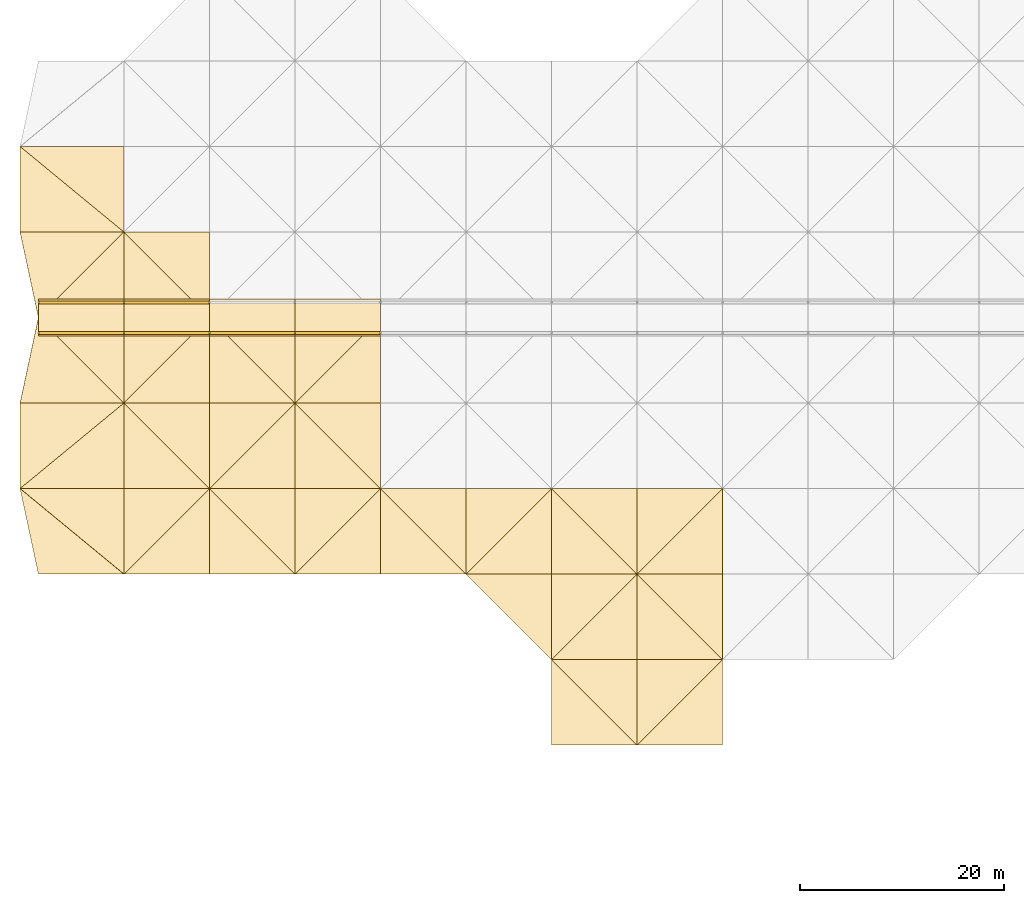
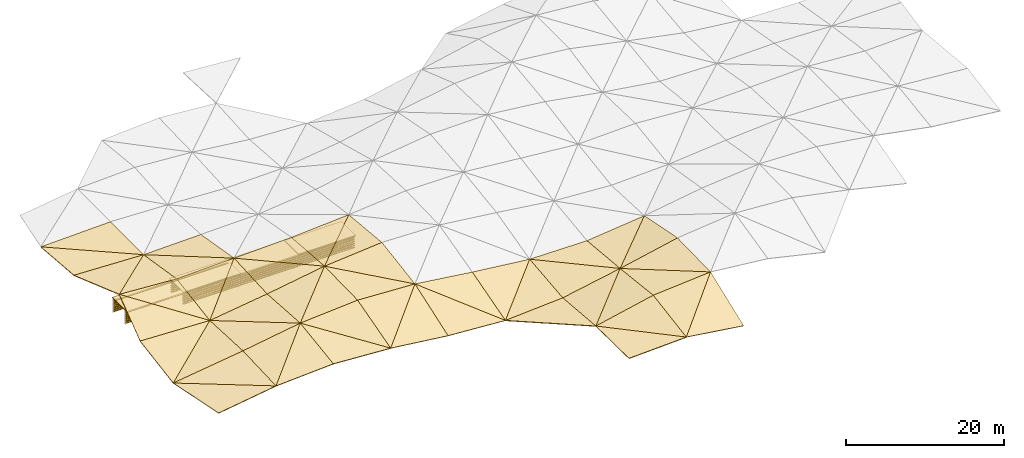
# One storey, part 38 of 46: 51 coverings, 36 shading devices.
"""IFC4 building model written with IfcOpenShell, lengths in metres."""

from ifc_helpers import new_model, si_unit, direction, frame, origin, origin_2d, place, context, subcontext, project, spatial, polyline, rectangle, outline, extrude, material, layer, layer_set, type_object, element, save


model = new_model("IFC4")

# Units and contexts
model_context = context("Model", 3, precision=1e-05, world=origin(), true_north=direction((0.0, 1.0)))
body_context = subcontext(model_context, "Body", "Model", "MODEL_VIEW")
ifc_project = project(units=[si_unit("LENGTHUNIT", "METRE"), si_unit("AREAUNIT", "SQUARE_METRE"), si_unit("VOLUMEUNIT", "CUBIC_METRE"), si_unit("PLANEANGLEUNIT", "RADIAN"), si_unit("MASSUNIT", "GRAM", prefix="KILO")], contexts=[model_context])

# Site, building, storey
site_placement = place(None, origin())
site = spatial("IfcSite", under=ifc_project, at=site_placement, CompositionType="ELEMENT")
building_placement = place(site_placement, origin())
building = spatial("IfcBuilding", under=site, at=building_placement, Name="Rain Tree Exposition and Congress Centre", CompositionType="ELEMENT")
storey_placement = place(building_placement, frame((0.0, 0.0, 27.0)))
storey = spatial("IfcBuildingStorey", under=building, at=storey_placement, Name="ROOF VAULT CREST", CompositionType="ELEMENT", Elevation=27.0)

# Shading devices
ifc_material_1 = material(Name="Aluminium", Category="aluminium")
ifc_layer_1 = layer(ifc_material_1, 0.0400390625)
ifc_layer_set_1 = layer_set([ifc_layer_1], Name="Aluminium")
shading_device_type = type_object("IfcShadingDeviceType", Name="Lantern louvre blade 40", PredefinedType="JALOUSIE", material=ifc_layer_set_1)
for number, where, z_axis, x_axis, name in (
    (1, (12.60009765625, 149.699951171875, 0.14990234375), (0.0, 0.0, 1.0), (1.0, 0.0, 0.0), "Lantern louvre S0.1"),
    (2, (12.60009765625, 149.699951171875, 0.469970703125), (0.0, 0.0, 1.0), (1.0, 0.0, 0.0), "Lantern louvre S0.2"),
    (3, (12.60009765625, 149.699951171875, 0.7900390625), (0.0, 0.0, 1.0), (1.0, 0.0, 0.0), "Lantern louvre S0.3"),
    (4, (12.60009765625, 149.699951171875, 1.10986328125), (0.0, 0.0, 1.0), (1.0, 0.0, 0.0), "Lantern louvre S0.4"),
    (5, (12.60009765625, 149.699951171875, 1.429931640625), (0.0, 0.0, 1.0), (1.0, 0.0, 0.0), "Lantern louvre S0.5"),
    (6, (12.60009765625, 149.699951171875, 1.75), (0.0, 0.0, 1.0), (1.0, 0.0, 0.0), "Lantern louvre S0.6"),
    (7, (21.0, 149.699951171875, 0.14990234375), (0.0, 0.0, 1.0), (1.0, 0.0, 0.0), "Lantern louvre S1.1"),
    (8, (21.0, 149.699951171875, 0.469970703125), (0.0, 0.0, 1.0), (1.0, 0.0, 0.0), "Lantern louvre S1.2"),
    (9, (21.0, 149.699951171875, 0.7900390625), (0.0, 0.0, 1.0), (1.0, 0.0, 0.0), "Lantern louvre S1.3"),
    (10, (21.0, 149.699951171875, 1.10986328125), (0.0, 0.0, 1.0), (1.0, 0.0, 0.0), "Lantern louvre S1.4"),
    (11, (21.0, 149.699951171875, 1.429931640625), (0.0, 0.0, 1.0), (1.0, 0.0, 0.0), "Lantern louvre S1.5"),
    (12, (21.0, 149.699951171875, 1.75), (0.0, 0.0, 1.0), (1.0, 0.0, 0.0), "Lantern louvre S1.6"),
    (13, (29.39990234375, 149.699951171875, 0.14990234375), (0.0, 0.0, 1.0), (1.0, 0.0, 0.0), "Lantern louvre S2.1"),
    (14, (29.39990234375, 149.699951171875, 0.469970703125), (0.0, 0.0, 1.0), (1.0, 0.0, 0.0), "Lantern louvre S2.2"),
    (15, (29.39990234375, 149.699951171875, 0.7900390625), (0.0, 0.0, 1.0), (1.0, 0.0, 0.0), "Lantern louvre S2.3"),
    (16, (29.39990234375, 149.699951171875, 1.10986328125), (0.0, 0.0, 1.0), (1.0, 0.0, 0.0), "Lantern louvre S2.4"),
    (17, (29.39990234375, 149.699951171875, 1.429931640625), (0.0, 0.0, 1.0), (1.0, 0.0, 0.0), "Lantern louvre S2.5"),
    (18, (29.39990234375, 149.699951171875, 1.75), (0.0, 0.0, 1.0), (1.0, 0.0, 0.0), "Lantern louvre S2.6"),
    (19, (37.800048828125, 149.699951171875, 0.14990234375), (0.0, 0.0, 1.0), (1.0, 0.0, 0.0), "Lantern louvre S3.1"),
    (20, (37.800048828125, 149.699951171875, 0.469970703125), (0.0, 0.0, 1.0), (1.0, 0.0, 0.0), "Lantern louvre S3.2"),
    (21, (37.800048828125, 149.699951171875, 0.7900390625), (0.0, 0.0, 1.0), (1.0, 0.0, 0.0), "Lantern louvre S3.3"),
    (22, (37.800048828125, 149.699951171875, 1.10986328125), (0.0, 0.0, 1.0), (1.0, 0.0, 0.0), "Lantern louvre S3.4"),
    (23, (37.800048828125, 149.699951171875, 1.429931640625), (0.0, 0.0, 1.0), (1.0, 0.0, 0.0), "Lantern louvre S3.5"),
    (24, (37.800048828125, 149.699951171875, 1.75), (0.0, 0.0, 1.0), (1.0, 0.0, 0.0), "Lantern louvre S3.6"),
    (25, (12.60009765625, 152.699951171875, 0.14990234375), (0.0, 0.0, 1.0), (1.0, 0.0, 0.0), "Lantern louvre N0.1"),
    (26, (12.60009765625, 152.699951171875, 0.469970703125), (0.0, 0.0, 1.0), (1.0, 0.0, 0.0), "Lantern louvre N0.2"),
    (27, (12.60009765625, 152.699951171875, 0.7900390625), (0.0, 0.0, 1.0), (1.0, 0.0, 0.0), "Lantern louvre N0.3"),
    (28, (12.60009765625, 152.699951171875, 1.10986328125), (0.0, 0.0, 1.0), (1.0, 0.0, 0.0), "Lantern louvre N0.4"),
    (29, (12.60009765625, 152.699951171875, 1.429931640625), (0.0, 0.0, 1.0), (1.0, 0.0, 0.0), "Lantern louvre N0.5"),
    (30, (12.60009765625, 152.699951171875, 1.75), (0.0, 0.0, 1.0), (1.0, 0.0, 0.0), "Lantern louvre N0.6"),
    (31, (21.0, 152.699951171875, 0.14990234375), (0.0, 0.0, 1.0), (1.0, 0.0, 0.0), "Lantern louvre N1.1"),
    (32, (21.0, 152.699951171875, 0.469970703125), (0.0, 0.0, 1.0), (1.0, 0.0, 0.0), "Lantern louvre N1.2"),
    (33, (21.0, 152.699951171875, 0.7900390625), (0.0, 0.0, 1.0), (1.0, 0.0, 0.0), "Lantern louvre N1.3"),
    (34, (21.0, 152.699951171875, 1.10986328125), (0.0, 0.0, 1.0), (1.0, 0.0, 0.0), "Lantern louvre N1.4"),
    (35, (21.0, 152.699951171875, 1.429931640625), (0.0, 0.0, 1.0), (1.0, 0.0, 0.0), "Lantern louvre N1.5"),
    (36, (21.0, 152.699951171875, 1.75), (0.0, 0.0, 1.0), (1.0, 0.0, 0.0), "Lantern louvre N1.6"),
):
    element("IfcShadingDevice", number, at=place(storey_placement, frame(where, z_axis=z_axis, x_axis=x_axis)), inside=storey, type_object=shading_device_type, Name=name, PredefinedType="JALOUSIE", context=body_context, shape_type="SweptSolid", body=[
        extrude(rectangle(XDim=8.300048828125, YDim=0.300048828125, at=origin_2d()), origin(), (0.0, 0.0, 1.0), 0.0400390625),
    ])

# Coverings
ifc_material_2 = material(Name="Aluminium composite", Category="aluminium")
ifc_layer_2 = layer(ifc_material_2, 0.1201171875)
ifc_layer_set_2 = layer_set([ifc_layer_2], Name="Aluminium composite")
covering_type_1 = type_object("IfcCoveringType", Name="Ridge lantern cap 120", PredefinedType="CLADDING", material=ifc_layer_set_2)
for number, where, z_axis, x_axis, name in (
    (37, (12.60009765625, 151.199951171875, 2.02001953125), (0.0, 0.0, 1.0), (1.0, 0.0, 0.0), "Lantern cap 0"),
    (38, (21.0, 151.199951171875, 2.02001953125), (0.0, 0.0, 1.0), (1.0, 0.0, 0.0), "Lantern cap 1"),
    (39, (29.39990234375, 151.199951171875, 2.02001953125), (0.0, 0.0, 1.0), (1.0, 0.0, 0.0), "Lantern cap 2"),
    (40, (37.800048828125, 151.199951171875, 2.02001953125), (0.0, 0.0, 1.0), (1.0, 0.0, 0.0), "Lantern cap 3"),
):
    element("IfcCovering", number, at=place(storey_placement, frame(where, z_axis=z_axis, x_axis=x_axis)), inside=storey, type_object=covering_type_1, Name=name, PredefinedType="CLADDING", context=body_context, shape_type="SweptSolid", body=[
        extrude(rectangle(XDim=8.39990234375, YDim=3.60009765625, at=origin_2d()), origin(), (0.0, 0.0, 1.0), 0.1201171875),
    ])
ifc_material_3 = material(Name="Aluminium composite cladding", Category="aluminium")
ifc_layer_3 = layer(ifc_material_3, 0.10009765625)
ifc_layer_set_3 = layer_set([ifc_layer_3], Name="Aluminium composite cladding")
covering_type_2 = type_object("IfcCoveringType", Name="Triangular aluminium roof skin facet 100", PredefinedType="CLADDING", material=ifc_layer_set_3)
covering_1_placement = place(storey_placement, frame((58.800048828125, 109.199951171875, 1.587890625), z_axis=(-0.041930167314, 0.01056934717, 0.999064637533), x_axis=(0.999120445514, 0.0, 0.041932509543)))
element("IfcCovering", 41, at=covering_1_placement, inside=storey, type_object=covering_type_2, Name="Roof skin facet A41", PredefinedType="CLADDING", context=body_context, shape_type="SweptSolid", body=[
    extrude(outline(polyline([(0.0, 0.0), (8.407297019561348, 0.0), (-0.0037264241878653555, 8.400615718489604), (0.0, 0.0)])), origin(), (0.0, 0.0, -1.0), 0.10009765625),
])
covering_2_placement = place(storey_placement, frame((67.199951171875, 109.199951171875, 1.9404296875), z_axis=(-0.209452978936, -0.158746666536, 0.964846591681), x_axis=(0.0, 0.98673360586, 0.162347747341)))
element("IfcCovering", 42, at=covering_2_placement, inside=storey, type_object=covering_type_2, Name="Roof skin facet A42", PredefinedType="CLADDING", context=body_context, shape_type="SweptSolid", body=[
    extrude(outline(polyline([(0.0, 0.0), (8.513084417607269, 0.0), (8.217045519928487, 8.590449507706607), (0.0, 0.0)])), origin(), (0.0, 0.0, -1.0), 0.10009765625),
])
covering_3_placement = place(storey_placement, frame((67.199951171875, 109.199951171875, 1.9404296875), z_axis=(0.129987415692, -0.355992847942, 0.92540389235), x_axis=(0.990278333593, 0.0, -0.139100043196)))
element("IfcCovering", 43, at=covering_3_placement, inside=storey, type_object=covering_type_2, Name="Roof skin facet A43", PredefinedType="CLADDING", context=body_context, shape_type="SweptSolid", body=[
    extrude(outline(polyline([(0.0, 0.0), (8.482611604659597, 0.0), (8.03311742210459, 8.989029688819873), (0.0, 0.0)])), origin(), (0.0, 0.0, -1.0), 0.10009765625),
])
covering_4_placement = place(storey_placement, frame((67.199951171875, 109.199951171875, 1.9404296875), z_axis=(-0.07839384143, -0.161848116825, 0.983696900832), x_axis=(0.696793031246, 0.696793031246, 0.170173274088)))
element("IfcCovering", 44, at=covering_4_placement, inside=storey, type_object=covering_type_2, Name="Roof skin facet A44", PredefinedType="CLADDING", context=body_context, shape_type="SweptSolid", body=[
    extrude(outline(polyline([(0.0, 0.0), (12.055439861896597, -7.494005416219807e-16), (6.088356623705146, 5.950169739082521), (0.0, 0.0)])), origin(), (0.0, 0.0, -1.0), 0.10009765625),
])
covering_5_placement = place(storey_placement, frame((58.800048828125, 117.60009765625, 1.4990234375), z_axis=(-0.065931569516, 0.086274052845, 0.994087428724), x_axis=(0.0, 0.996255133542, -0.086462181851)))
element("IfcCovering", 45, at=covering_5_placement, inside=storey, type_object=covering_type_2, Name="Roof skin facet A68", PredefinedType="CLADDING", context=body_context, shape_type="SweptSolid", body=[
    extrude(outline(polyline([(0.0, 0.0), (8.431477099527966, -6.938893903907228e-18), (8.479647680334473, 8.41846382496722), (0.0, 0.0)])), origin(), (0.0, 0.0, -1.0), 0.10009765625),
])
covering_6_placement = place(storey_placement, frame((58.800048828125, 117.60009765625, 1.4990234375), z_axis=(-0.2108684285, 0.109457343325, 0.971366869856), x_axis=(0.977238614007, 0.0, 0.212143091554)))
element("IfcCovering", 46, at=covering_6_placement, inside=storey, type_object=covering_type_2, Name="Roof skin facet A69", PredefinedType="CLADDING", context=body_context, shape_type="SweptSolid", body=[
    extrude(outline(polyline([(0.0, 0.0), (8.595548951253523, 0.0), (8.394748471283817, 8.450678295639868), (0.0, 0.0)])), origin(), (0.0, 0.0, -1.0), 0.10009765625),
])
covering_7_placement = place(storey_placement, frame((58.800048828125, 117.60009765625, 1.4990234375), z_axis=(-0.18710776735, 0.084935207252, 0.978660663339), x_axis=(0.705187853419, 0.705187853419, 0.073621890643)))
element("IfcCovering", 47, at=covering_7_placement, inside=storey, type_object=covering_type_2, Name="Roof skin facet A70", PredefinedType="CLADDING", context=body_context, shape_type="SweptSolid", body=[
    extrude(outline(polyline([(0.0, 0.0), (11.911581152496959, 3.885780586188048e-16), (5.869838456849775, 6.0526690451694085), (0.0, 0.0)])), origin(), (0.0, 0.0, -1.0), 0.10009765625),
])
covering_8_placement = place(storey_placement, frame((67.199951171875, 117.60009765625, 3.322509765625), z_axis=(-0.078944737923, 0.111625691001, 0.990609627181), x_axis=(0.996839552078, 0.0, 0.079441219862)))
element("IfcCovering", 48, at=covering_8_placement, inside=storey, type_object=covering_type_2, Name="Roof skin facet A71", PredefinedType="CLADDING", context=body_context, shape_type="SweptSolid", body=[
    extrude(outline(polyline([(0.0, 0.0), (8.426778880177093, 0.0), (-0.07519375229629274, 8.45272916807172), (0.0, 0.0)])), origin(), (0.0, 0.0, -1.0), 0.10009765625),
])
covering_9_placement = place(storey_placement, frame((75.60009765625, 117.60009765625, 3.991943359375), z_axis=(-0.208482073092, -0.02037704349, 0.977813888886), x_axis=(0.0, 0.999782930643, 0.020834864886)))
element("IfcCovering", 49, at=covering_9_placement, inside=storey, type_object=covering_type_2, Name="Roof skin facet A72", PredefinedType="CLADDING", context=body_context, shape_type="SweptSolid", body=[
    extrude(outline(polyline([(0.0, 0.0), (8.401726101032137, 0.0), (8.364410532476374, 8.588876846031452), (0.0, 0.0)])), origin(), (0.0, 0.0, -1.0), 0.10009765625),
])
covering_10_placement = place(storey_placement, frame((8.39990234375, 126.0, 0.5771484375), z_axis=(-0.147905168116, -0.053103752993, 0.987574833956), x_axis=(0.988970270762, 0.0, 0.148114157155)))
element("IfcCovering", 50, at=covering_10_placement, inside=storey, type_object=covering_type_2, Name="Roof skin facet A85", PredefinedType="CLADDING", context=body_context, shape_type="SweptSolid", body=[
    extrude(outline(polyline([(0.0, 0.0), (8.493831142068833, -1.3877787807814457e-17), (-1.7529774596720524, 8.411771351032865), (0.0, 0.0)])), origin(), (0.0, 0.0, -1.0), 0.10009765625),
])
covering_11_placement = place(storey_placement, frame((16.800048828125, 126.0, 1.835205078125), z_axis=(-0.137027168929, -0.039612859785, 0.989774911945), x_axis=(0.0, 0.999200077029, 0.039990074582)))
element("IfcCovering", 51, at=covering_11_placement, inside=storey, type_object=covering_type_2, Name="Roof skin facet A86", PredefinedType="CLADDING", context=body_context, shape_type="SweptSolid", body=[
    extrude(outline(polyline([(0.0, 0.0), (8.406626997793472, -6.938893903907228e-18), (8.35015663856925, 10.297080551987838), (0.0, 0.0)])), origin(), (0.0, 0.0, -1.0), 0.10009765625),
])
covering_12_placement = place(storey_placement, frame((16.800048828125, 126.0, 1.835205078125), z_axis=(-0.056472055801, -0.141754626337, 0.98828970086), x_axis=(0.998371428865, 0.0, 0.0570481378)))
element("IfcCovering", 52, at=covering_12_placement, inside=storey, type_object=covering_type_2, Name="Roof skin facet A87", PredefinedType="CLADDING", context=body_context, shape_type="SweptSolid", body=[
    extrude(outline(polyline([(0.0, 0.0), (8.41360449717707, 0.0), (8.482338032343868, 8.485591317968664), (0.0, 0.0)])), origin(), (0.0, 0.0, -1.0), 0.10009765625),
])
covering_13_placement = place(storey_placement, frame((16.800048828125, 126.0, 1.835205078125), z_axis=(-0.158399610403, -0.03948520339, 0.986585263491), x_axis=(0.700100486838, 0.700100486838, 0.14042299191)))
element("IfcCovering", 53, at=covering_13_placement, inside=storey, type_object=covering_type_2, Name="Roof skin facet A88", PredefinedType="CLADDING", context=body_context, shape_type="SweptSolid", body=[
    extrude(outline(polyline([(0.0, 0.0), (11.998138126831696, 5.828670879282072e-16), (5.927983352056865, 5.960737442445081), (0.0, 0.0)])), origin(), (0.0, 0.0, -1.0), 0.10009765625),
])
covering_14_placement = place(storey_placement, frame((25.199951171875, 126.0, 2.315185546875), z_axis=(0.060649157953, -0.141719836017, 0.98804714853), x_axis=(0.998121379477, 0.0, -0.061267543042)))
element("IfcCovering", 54, at=covering_14_placement, inside=storey, type_object=covering_type_2, Name="Roof skin facet A89", PredefinedType="CLADDING", context=body_context, shape_type="SweptSolid", body=[
    extrude(outline(polyline([(0.0, 0.0), (8.415956873676498, 1.3877787807814457e-17), (-0.07381721799650462, 8.485548617076503), (0.0, 0.0)])), origin(), (0.0, 0.0, -1.0), 0.10009765625),
])
covering_15_placement = place(storey_placement, frame((33.60009765625, 126.0, 1.799560546875), z_axis=(-0.070388731241, -0.267233557227, 0.961057569767), x_axis=(0.0, 0.963447268573, 0.267898041575)))
element("IfcCovering", 55, at=covering_15_placement, inside=storey, type_object=covering_type_2, Name="Roof skin facet A90", PredefinedType="CLADDING", context=body_context, shape_type="SweptSolid", body=[
    extrude(outline(polyline([(0.0, 0.0), (8.718590646060019, 5.551115123125783e-17), (8.553770561887799, 8.421033703470897), (0.0, 0.0)])), origin(), (0.0, 0.0, -1.0), 0.10009765625),
])
covering_16_placement = place(storey_placement, frame((33.60009765625, 126.0, 1.799560546875), z_axis=(0.112963428175, -0.326726670579, 0.938343725203), x_axis=(0.992831433937, 0.0, -0.119522984345)))
element("IfcCovering", 56, at=covering_16_placement, inside=storey, type_object=covering_type_2, Name="Roof skin facet A91", PredefinedType="CLADDING", context=body_context, shape_type="SweptSolid", body=[
    extrude(outline(polyline([(0.0, 0.0), (8.460552372361104, 0.0), (8.110970987485471, 8.887667562409565), (0.0, 0.0)])), origin(), (0.0, 0.0, -1.0), 0.10009765625),
])
covering_17_placement = place(storey_placement, frame((33.60009765625, 126.0, 1.799560546875), z_axis=(0.048359336909, -0.267584601622, 0.962320037986), x_axis=(0.698107370235, 0.698107370235, 0.159035213855)))
element("IfcCovering", 57, at=covering_17_placement, inside=storey, type_object=covering_type_2, Name="Roof skin facet A92", PredefinedType="CLADDING", context=body_context, shape_type="SweptSolid", body=[
    extrude(outline(polyline([(0.0, 0.0), (12.03239315596603, -2.220446049250313e-16), (6.235491228338162, 6.0936419319552275), (0.0, 0.0)])), origin(), (0.0, 0.0, -1.0), 0.10009765625),
])
covering_18_placement = place(storey_placement, frame((42.0, 126.0, 0.788330078125), z_axis=(0.064560837957, -0.328145455547, 0.94241840931), x_axis=(0.997661725633, 0.0, -0.068345308589)))
element("IfcCovering", 58, at=covering_18_placement, inside=storey, type_object=covering_type_2, Name="Roof skin facet A93", PredefinedType="CLADDING", context=body_context, shape_type="SweptSolid", body=[
    extrude(outline(polyline([(0.0, 0.0), (8.419589654416036, 2.7755575615628914e-17), (-0.19989667893015262, 8.892293470320885), (0.0, 0.0)])), origin(), (0.0, 0.0, -1.0), 0.10009765625),
])
covering_19_placement = place(storey_placement, frame((50.39990234375, 126.0, 0.212890625), z_axis=(0.125249728289, -0.272294073898, 0.954027485392), x_axis=(0.0, 0.961599846753, 0.274455341949)))
element("IfcCovering", 59, at=covering_19_placement, inside=storey, type_object=covering_type_2, Name="Roof skin facet A94", PredefinedType="CLADDING", context=body_context, shape_type="SweptSolid", body=[
    extrude(outline(polyline([(0.0, 0.0), (8.735340767902255, 0.0), (9.038005509012088, 8.466574527642234), (0.0, 0.0)])), origin(), (0.0, 0.0, -1.0), 0.10009765625),
])
covering_20_placement = place(storey_placement, frame((50.39990234375, 126.0, 0.212890625), z_axis=(-0.065814627944, -0.104695023312, 0.992324234735), x_axis=(0.997807812193, 0.0, 0.066178319162)))
element("IfcCovering", 60, at=covering_20_placement, inside=storey, type_object=covering_type_2, Name="Roof skin facet A95", PredefinedType="CLADDING", context=body_context, shape_type="SweptSolid", body=[
    extrude(outline(polyline([(0.0, 0.0), (8.418601640245072, -6.938893903907228e-18), (8.477250883057533, 8.446320151083262), (0.0, 0.0)])), origin(), (0.0, 0.0, -1.0), 0.10009765625),
])
covering_21_placement = place(storey_placement, frame((50.39990234375, 126.0, 0.212890625), z_axis=(0.108574318139, -0.272832853863, 0.955915190429), x_axis=(0.701954759961, 0.701934358451, 0.120613728046)))
element("IfcCovering", 61, at=covering_21_placement, inside=storey, type_object=covering_type_2, Name="Roof skin facet A96", PredefinedType="CLADDING", context=body_context, shape_type="SweptSolid", body=[
    extrude(outline(polyline([(0.0, 0.0), (11.96679182692232, -1.6653345369377348e-16), (6.185346764230475, 6.168278831051555), (0.0, 0.0)])), origin(), (0.0, 0.0, -1.0), 0.10009765625),
])
covering_22_placement = place(storey_placement, frame((58.800048828125, 126.0, 0.77001953125), z_axis=(-0.186786091841, -0.103075936969, 0.976978150786), x_axis=(0.982209901893, 0.0, 0.187786337693)))
element("IfcCovering", 62, at=covering_22_placement, inside=storey, type_object=covering_type_2, Name="Roof skin facet A97", PredefinedType="CLADDING", context=body_context, shape_type="SweptSolid", body=[
    extrude(outline(polyline([(0.0, 0.0), (8.552044046352782, -2.7755575615628914e-17), (0.16642197407811798, 8.4448841054701), (0.0, 0.0)])), origin(), (0.0, 0.0, -1.0), 0.10009765625),
])
covering_23_placement = place(storey_placement, frame((67.199951171875, 126.0, 2.3759765625), z_axis=(0.008304652529, 0.093608191394, 0.995574476998), x_axis=(0.0, 0.995608809793, -0.093611419511)))
element("IfcCovering", 63, at=covering_23_placement, inside=storey, type_object=covering_type_2, Name="Roof skin facet A98", PredefinedType="CLADDING", context=body_context, shape_type="SweptSolid", body=[
    extrude(outline(polyline([(0.0, 0.0), (8.436950598596408, 8.673617379884035e-19), (8.430391400012537, 8.400192017831271), (0.0, 0.0)])), origin(), (0.0, 0.0, -1.0), 0.10009765625),
])
covering_24_placement = place(storey_placement, frame((67.199951171875, 126.0, 2.3759765625), z_axis=(-0.204763817031, 0.189082662397, 0.960374680016), x_axis=(0.978016957976, 0.0, 0.208525369945)))
element("IfcCovering", 64, at=covering_24_placement, inside=storey, type_object=covering_type_2, Name="Roof skin facet A99", PredefinedType="CLADDING", context=body_context, shape_type="SweptSolid", body=[
    extrude(outline(polyline([(0.0, 0.0), (8.588957906984517, 0.0), (8.244096858153803, 8.55421025614273), (0.0, 0.0)])), origin(), (0.0, 0.0, -1.0), 0.10009765625),
])
covering_25_placement = place(storey_placement, frame((67.199951171875, 126.0, 2.3759765625), z_axis=(-0.109213644582, 0.09305146404, 0.989653376126), x_axis=(0.707069896264, 0.707049346089, 0.011549198759)))
element("IfcCovering", 65, at=covering_25_placement, inside=storey, type_object=covering_type_2, Name="Roof skin facet A100", PredefinedType="CLADDING", context=body_context, shape_type="SweptSolid", body=[
    extrude(outline(polyline([(0.0, 0.0), (11.880220793946503, 5.100087019371813e-16), (5.930023960826329, 6.001412436017201), (0.0, 0.0)])), origin(), (0.0, 0.0, -1.0), 0.10009765625),
])
covering_26_placement = place(storey_placement, frame((6.60009765625, 134.39990234375, 0.75927734375), z_axis=(-0.136988097701, 0.046243620474, 0.989492692572), x_axis=(0.990552393906, 0.0, 0.137134805676)))
element("IfcCovering", 66, at=covering_26_placement, inside=storey, type_object=covering_type_2, Name="Roof skin facet A113", PredefinedType="CLADDING", context=body_context, shape_type="SweptSolid", body=[
    extrude(outline(polyline([(0.0, 0.0), (10.297235395755362, 0.0), (10.243399270870722, 8.409142656349909), (0.0, 0.0)])), origin(), (0.0, 0.0, -1.0), 0.10009765625),
])
covering_27_placement = place(storey_placement, frame((6.60009765625, 134.39990234375, 0.75927734375), z_axis=(0.037484207907, -0.165133423906, 0.985558667187), x_axis=(0.769635789373, 0.633831795997, 0.076928577908)))
element("IfcCovering", 67, at=covering_27_placement, inside=storey, type_object=covering_type_2, Name="Roof skin facet A114", PredefinedType="CLADDING", context=body_context, shape_type="SweptSolid", body=[
    extrude(outline(polyline([(0.0, 0.0), (13.252958493759738, -1.27675647831893e-15), (5.432554652469006, 6.559785414710624), (0.0, 0.0)])), origin(), (0.0, 0.0, -1.0), 0.10009765625),
])
covering_28_placement = place(storey_placement, frame((16.800048828125, 134.39990234375, 2.17138671875), z_axis=(-0.158354735652, 0.046094680353, 0.986305763006), x_axis=(0.98735524727, 0.0, 0.15852323391)))
element("IfcCovering", 68, at=covering_28_placement, inside=storey, type_object=covering_type_2, Name="Roof skin facet A115", PredefinedType="CLADDING", context=body_context, shape_type="SweptSolid", body=[
    extrude(outline(polyline([(0.0, 0.0), (8.507477290447998, 6.938893903907228e-18), (-0.062232753937430316, 8.409084708071598), (0.0, 0.0)])), origin(), (0.0, 0.0, -1.0), 0.10009765625),
])
covering_29_placement = place(storey_placement, frame((25.199951171875, 134.39990234375, 3.52001953125), z_axis=(-0.137919017983, 0.066918361556, 0.988180285862), x_axis=(0.0, 0.997714939724, -0.067564036666)))
element("IfcCovering", 69, at=covering_29_placement, inside=storey, type_object=covering_type_2, Name="Roof skin facet A116", PredefinedType="CLADDING", context=body_context, shape_type="SweptSolid", body=[
    extrude(outline(polyline([(0.0, 0.0), (8.419385287239134, 0.0), (8.498594882959074, 8.480950470773067), (0.0, 0.0)])), origin(), (0.0, 0.0, -1.0), 0.10009765625),
])
covering_30_placement = place(storey_placement, frame((25.199951171875, 134.39990234375, 3.52001953125), z_axis=(-0.073030903946, -0.019822673928, 0.997132663524), x_axis=(0.997328627135, 0.0, 0.0730452565)))
element("IfcCovering", 70, at=covering_30_placement, inside=storey, type_object=covering_type_2, Name="Roof skin facet A117", PredefinedType="CLADDING", context=body_context, shape_type="SweptSolid", body=[
    extrude(outline(polyline([(0.0, 0.0), (8.422646513723542, 1.734723475976807e-18), (8.4348445008929, 8.401797340971319), (0.0, 0.0)])), origin(), (0.0, 0.0, -1.0), 0.10009765625),
])
covering_31_placement = place(storey_placement, frame((25.199951171875, 134.39990234375, 3.52001953125), z_axis=(-0.158444731788, 0.066710557475, 0.985111652804), x_axis=(0.705578838815, 0.705578838815, 0.065703914888)))
element("IfcCovering", 71, at=covering_31_placement, inside=storey, type_object=covering_type_2, Name="Roof skin facet A118", PredefinedType="CLADDING", context=body_context, shape_type="SweptSolid", body=[
    extrude(outline(polyline([(0.0, 0.0), (11.905326552136062, 2.220446049250313e-16), (5.889590084334356, 6.016541968065149), (0.0, 0.0)])), origin(), (0.0, 0.0, -1.0), 0.10009765625),
])
covering_32_placement = place(storey_placement, frame((33.60009765625, 134.39990234375, 4.13525390625), z_axis=(0.050179640179, -0.01985070927, 0.998542914978), x_axis=(0.998739711387, 0.0, -0.050189529762)))
element("IfcCovering", 72, at=covering_32_placement, inside=storey, type_object=covering_type_2, Name="Roof skin facet A119", PredefinedType="CLADDING", context=body_context, shape_type="SweptSolid", body=[
    extrude(outline(polyline([(0.0, 0.0), (8.410502003651075, 0.0), (-0.008381259364540698, 8.401802015290244), (0.0, 0.0)])), origin(), (0.0, 0.0, -1.0), 0.10009765625),
])
covering_33_placement = place(storey_placement, frame((42.0, 134.39990234375, 3.713134765625), z_axis=(-0.086713125684, -0.155718748934, 0.983988061444), x_axis=(0.0, 0.987708440119, 0.156307508834)))
element("IfcCovering", 73, at=covering_33_placement, inside=storey, type_object=covering_type_2, Name="Roof skin facet A120", PredefinedType="CLADDING", context=body_context, shape_type="SweptSolid", body=[
    extrude(outline(polyline([(0.0, 0.0), (8.504682296086937, -1.3877787807814457e-17), (8.388978104977477, 8.431661690000857), (0.0, 0.0)])), origin(), (0.0, 0.0, -1.0), 0.10009765625),
])
covering_34_placement = place(storey_placement, frame((6.60009765625, 142.800048828125, 2.166748046875), z_axis=(0.037352940372, -0.184580643466, 0.982107297551), x_axis=(0.999277511631, 0.0, -0.038005983053)))
element("IfcCovering", 74, at=covering_34_placement, inside=storey, type_object=covering_type_2, Name="Roof skin facet A141", PredefinedType="CLADDING", context=body_context, shape_type="SweptSolid", body=[
    extrude(outline(polyline([(0.0, 0.0), (10.207325846073747, 0.0), (1.741105665180391, 8.546758111804959), (0.0, 0.0)])), origin(), (0.0, 0.0, -1.0), 0.10009765625),
])
covering_35_placement = place(storey_placement, frame((16.800048828125, 142.800048828125, 1.77880859375), z_axis=(0.065008528013, -0.157657422093, 0.985351728341), x_axis=(0.0, 0.987440452823, 0.157991620438)))
element("IfcCovering", 75, at=covering_35_placement, inside=storey, type_object=covering_type_2, Name="Roof skin facet A142", PredefinedType="CLADDING", context=body_context, shape_type="SweptSolid", body=[
    extrude(outline(polyline([(0.0, 0.0), (8.506743186118358, 0.0), (8.59430201873416, 8.417952909339165), (0.0, 0.0)])), origin(), (0.0, 0.0, -1.0), 0.10009765625),
])
covering_36_placement = place(storey_placement, frame((16.800048828125, 142.800048828125, 1.77880859375), z_axis=(-0.138035799864, -0.052834194117, 0.989017020019), x_axis=(0.990400313545, 0.0, 0.138228864316)))
element("IfcCovering", 76, at=covering_36_placement, inside=storey, type_object=covering_type_2, Name="Roof skin facet A143", PredefinedType="CLADDING", context=body_context, shape_type="SweptSolid", body=[
    extrude(outline(polyline([(0.0, 0.0), (8.481320359929816, 6.938893903907228e-18), (8.543347863008941, 8.411650908530566), (0.0, 0.0)])), origin(), (0.0, 0.0, -1.0), 0.10009765625),
])
covering_37_placement = place(storey_placement, frame((16.800048828125, 142.800048828125, 1.77880859375), z_axis=(-0.032556844467, -0.157907866778, 0.98691699625), x_axis=(0.700613290334, 0.700613290334, 0.13521107504)))
element("IfcCovering", 77, at=covering_37_placement, inside=storey, type_object=covering_type_2, Name="Roof skin facet A144", PredefinedType="CLADDING", context=body_context, shape_type="SweptSolid", body=[
    extrude(outline(polyline([(0.0, 0.0), (11.989356267763611, 4.440892098500626e-16), (6.066806112144026, 5.963098459041489), (0.0, 0.0)])), origin(), (0.0, 0.0, -1.0), 0.10009765625),
])
covering_38_placement = place(storey_placement, frame((25.199951171875, 142.800048828125, 2.951171875), z_axis=(-0.158578060669, -0.052669849457, 0.985940609587), x_axis=(0.987311016847, 0.0, 0.158798476102)))
element("IfcCovering", 78, at=covering_38_placement, inside=storey, type_object=covering_type_2, Name="Roof skin facet A145", PredefinedType="CLADDING", context=body_context, shape_type="SweptSolid", body=[
    extrude(outline(polyline([(0.0, 0.0), (8.508105694191192, 0.0), (0.07125771461791429, 8.411577780430303), (0.0, 0.0)])), origin(), (0.0, 0.0, -1.0), 0.10009765625),
])
covering_39_placement = place(storey_placement, frame((33.60009765625, 142.800048828125, 4.30224609375), z_axis=(-0.032878682062, 0.074189208876, 0.996702038501), x_axis=(0.0, 0.997241196972, -0.074229340971)))
element("IfcCovering", 79, at=covering_39_placement, inside=storey, type_object=covering_type_2, Name="Roof skin facet A146", PredefinedType="CLADDING", context=body_context, shape_type="SweptSolid", body=[
    extrude(outline(polyline([(0.0, 0.0), (8.42314012823737, 3.469446951953614e-18), (8.443709049624582, 8.404690480436885), (0.0, 0.0)])), origin(), (0.0, 0.0, -1.0), 0.10009765625),
])
covering_40_placement = place(storey_placement, frame((33.60009765625, 142.800048828125, 4.30224609375), z_axis=(-0.087395069891, 0.094024643134, 0.991726508793), x_axis=(0.99613953622, 0.0, 0.087783964245)))
element("IfcCovering", 80, at=covering_40_placement, inside=storey, type_object=covering_type_2, Name="Roof skin facet A147", PredefinedType="CLADDING", context=body_context, shape_type="SweptSolid", body=[
    extrude(outline(polyline([(0.0, 0.0), (8.432455532907861, 0.0), (8.36254554966376, 8.437280591789095), (0.0, 0.0)])), origin(), (0.0, 0.0, -1.0), 0.10009765625),
])
covering_41_placement = place(storey_placement, frame((33.60009765625, 142.800048828125, 4.30224609375), z_axis=(-0.067409224882, 0.074060499753, 0.994972883438), x_axis=(0.707098881588, 0.707098881588, -0.004726871556)))
element("IfcCovering", 81, at=covering_41_placement, inside=storey, type_object=covering_type_2, Name="Roof skin facet A148", PredefinedType="CLADDING", context=body_context, shape_type="SweptSolid", body=[
    extrude(outline(polyline([(0.0, 0.0), (11.879388530340362, -2.714842239903703e-16), (5.942517001455983, 5.969571283377832), (0.0, 0.0)])), origin(), (0.0, 0.0, -1.0), 0.10009765625),
])
covering_42_placement = place(storey_placement, frame((8.39990234375, 151.199951171875, 3.677001953125), z_axis=(0.065008574975, 0.157652953848, 0.985352440157), x_axis=(0.997830732242, 0.0, -0.065831829633)))
element("IfcCovering", 82, at=covering_42_placement, inside=storey, type_object=covering_type_2, Name="Roof skin facet A169", PredefinedType="CLADDING", context=body_context, shape_type="SweptSolid", body=[
    extrude(outline(polyline([(0.0, 0.0), (8.418408265997842, -2.7755575615628914e-17), (8.506885859291504, 8.506524138828794), (0.0, 0.0)])), origin(), (0.0, 0.0, -1.0), 0.10009765625),
])
covering_43_placement = place(storey_placement, frame((8.39990234375, 151.199951171875, 3.677001953125), z_axis=(0.037352977359, 0.184575461606, 0.982108270027), x_axis=(0.698249268239, 0.698249268239, -0.157784406096)))
element("IfcCovering", 83, at=covering_43_placement, inside=storey, type_object=covering_type_2, Name="Roof skin facet A170", PredefinedType="CLADDING", context=body_context, shape_type="SweptSolid", body=[
    extrude(outline(polyline([(0.0, 0.0), (12.030297583496873, 6.106226635438361e-16), (4.846978345448171, 7.251856703783146), (0.0, 0.0)])), origin(), (0.0, 0.0, -1.0), 0.10009765625),
])
covering_44_placement = place(storey_placement, frame((16.800048828125, 151.199951171875, 3.122802734375), z_axis=(-0.032556868061, 0.157903391798, 0.986917711464), x_axis=(0.999456325364, 0.0, 0.032970497276)))
element("IfcCovering", 84, at=covering_44_placement, inside=storey, type_object=covering_type_2, Name="Roof skin facet A171", PredefinedType="CLADDING", context=body_context, shape_type="SweptSolid", body=[
    extrude(outline(polyline([(0.0, 0.0), (8.40447164181381, -6.938893903907228e-18), (-0.044312155152813684, 8.506868850634628), (0.0, 0.0)])), origin(), (0.0, 0.0, -1.0), 0.10009765625),
])
covering_45_placement = place(storey_placement, frame((25.199951171875, 151.199951171875, 3.39990234375), z_axis=(-0.022774163806, 0.167435369321, 0.985619974718), x_axis=(0.0, 0.985875676268, -0.167478807446)))
element("IfcCovering", 85, at=covering_45_placement, inside=storey, type_object=covering_type_2, Name="Roof skin facet A172", PredefinedType="CLADDING", context=body_context, shape_type="SweptSolid", body=[
    extrude(outline(polyline([(0.0, 0.0), (8.520492681364162, 0.0), (8.552998944039787, 8.402081548820972), (0.0, 0.0)])), origin(), (0.0, 0.0, -1.0), 0.10009765625),
])
covering_46_placement = place(storey_placement, frame((6.60009765625, 159.60009765625, 2.166748046875), z_axis=(0.037878159671, 0.081946177168, 0.995916697856), x_axis=(0.999277511631, 0.0, -0.038005983053)))
element("IfcCovering", 86, at=covering_46_placement, inside=storey, type_object=covering_type_2, Name="Roof skin facet A197", PredefinedType="CLADDING", context=body_context, shape_type="SweptSolid", body=[
    extrude(outline(polyline([(0.0, 0.0), (10.207325846073747, 6.938893903907228e-18), (0.02626829541596293, 8.428248597581135), (0.0, 0.0)])), origin(), (0.0, 0.0, -1.0), 0.10009765625),
])
covering_47_placement = place(storey_placement, frame((16.800048828125, 159.60009765625, 1.77880859375), z_axis=(-0.030790317838, -0.001307290167, 0.999525010853), x_axis=(0.0, 0.999999144685, 0.001307910292)))
element("IfcCovering", 87, at=covering_47_placement, inside=storey, type_object=covering_type_2, Name="Roof skin facet A198", PredefinedType="CLADDING", context=body_context, shape_type="SweptSolid", body=[
    extrude(outline(polyline([(0.0, 0.0), (8.399909528318885, 0.0), (8.399498571154343, 10.204789612020935), (0.0, 0.0)])), origin(), (0.0, 0.0, -1.0), 0.10009765625),
])

save(model, "model.ifc")
